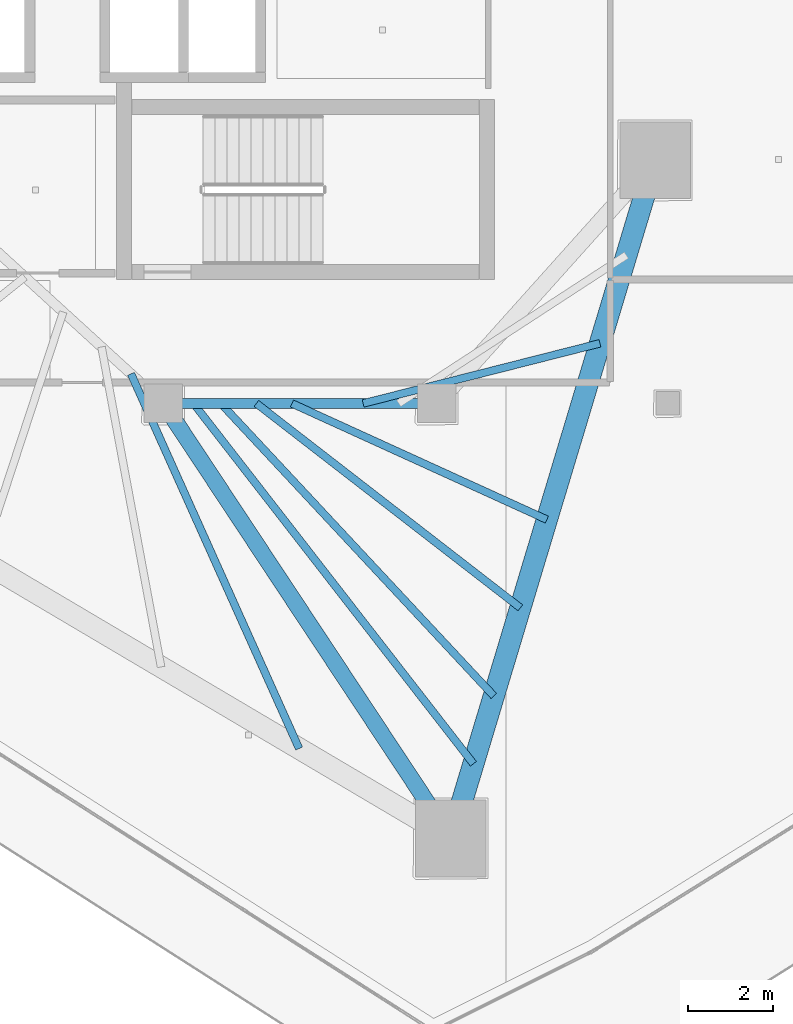
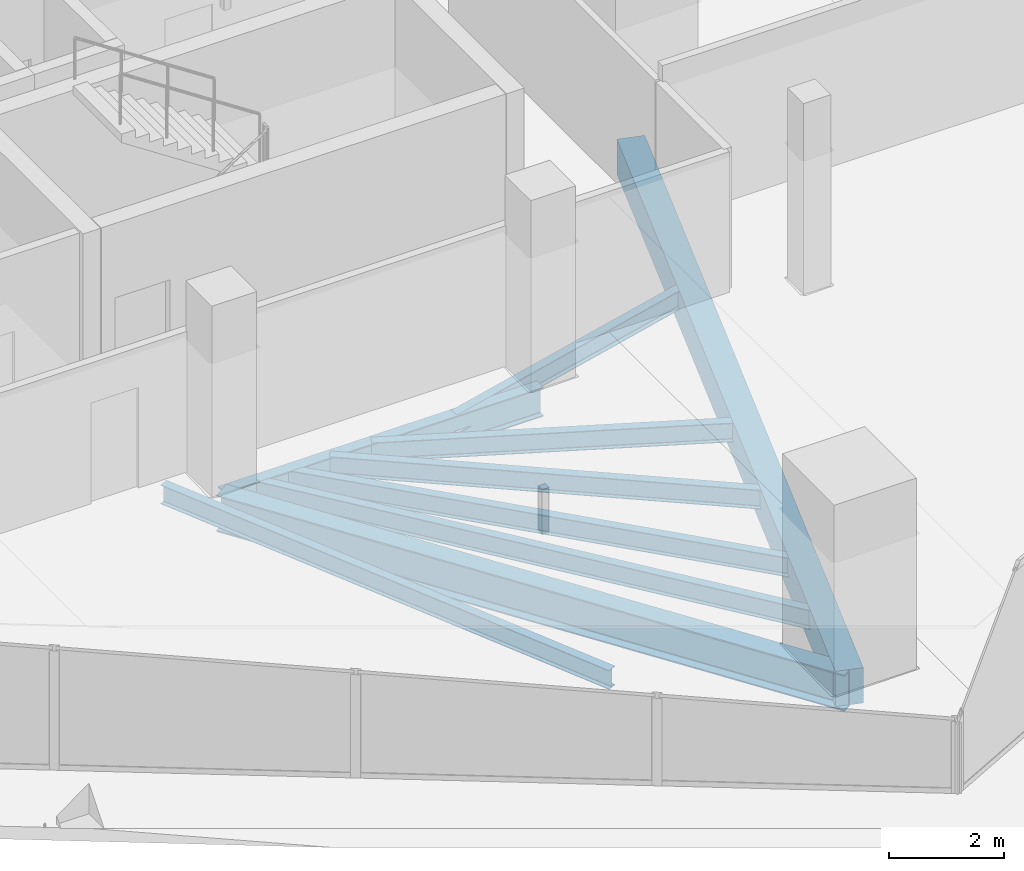
# One storey, part 9 of 30: 9 beams.
"""IFC4 building model written with IfcOpenShell, lengths in metres."""

from ifc_helpers import new_model, si_unit, direction, frame, origin, origin_2d, place, context, subcontext, project, spatial, rectangle, i_section, extrude, material, material_profile, profile_set, type_object, element, save


model = new_model("IFC4")

# Units and contexts
model_context = context("Model", 3, precision=1e-05, world=origin(), true_north=direction((0.0, 1.0)))
body_context = subcontext(model_context, "Body", "Model", "MODEL_VIEW")
ifc_project = project(units=[si_unit("LENGTHUNIT", "METRE"), si_unit("AREAUNIT", "SQUARE_METRE"), si_unit("VOLUMEUNIT", "CUBIC_METRE"), si_unit("PLANEANGLEUNIT", "RADIAN"), si_unit("MASSUNIT", "GRAM", prefix="KILO")], contexts=[model_context])

# Site, building, storey
site_placement = place(None, origin())
site = spatial("IfcSite", under=ifc_project, at=site_placement, CompositionType="ELEMENT")
building_placement = place(site_placement, origin())
building = spatial("IfcBuilding", under=site, at=building_placement, Name="Qorvath Tower", CompositionType="ELEMENT")
storey_placement = place(building_placement, frame((0.0, 0.0, 217.199951171875)))
storey = spatial("IfcBuildingStorey", under=building, at=storey_placement, Name="L50", CompositionType="ELEMENT", Elevation=217.199951171875)

# Beams
ifc_material_1 = material(Name="Steel ASTM A992 Grade 50", Category="steel")
ifc_material_profile_1 = material_profile(ifc_material_1, i_section(OverallWidth=0.381103515625, OverallDepth=0.77294921875, WebThickness=0.0166015625, FlangeThickness=0.027099609375, FilletRadius=0.01904296875, at=origin_2d()), Name="W30x173")
ifc_profile_set_1 = profile_set([ifc_material_profile_1], Name="Steel ASTM A992 Grade 50")
beam_type_1 = type_object("IfcBeamType", Name="BM-FG3", PredefinedType="BEAM", material=ifc_profile_set_1)
beam_1_placement = place(storey_placement, frame((-23.60009765625, -11.449951171875, -0.656494140625), z_axis=(0.551500517741, -0.834174549439, 0.0), x_axis=(0.834174549439, 0.551500517741, 0.0)))
element("IfcBeam", 1, at=beam_1_placement, inside=storey, type_object=beam_type_1, Name="Radial Floor Girder CC4-MC3 L50", PredefinedType="BEAM", context=body_context, shape_type="SweptSolid", body=[
    extrude(i_section(OverallWidth=0.381103515625, OverallDepth=0.77294921875, WebThickness=0.0166015625, FlangeThickness=0.027099609375, FilletRadius=0.01904296875, at=origin_2d()), origin(), (0.0, 0.0, 1.0), 12.200439453125),
])
ifc_material_2 = material(Name="Steel ASTM A992 Grade 50", Category="steel")
ifc_material_profile_2 = material_profile(ifc_material_2, i_section(OverallWidth=0.22998046875, OverallDepth=0.616943359375, WebThickness=0.01318359375, FlangeThickness=0.022216796875, FilletRadius=0.014892578125, at=origin_2d()), Name="W24x94")
ifc_profile_set_2 = profile_set([ifc_material_profile_2], Name="Steel ASTM A992 Grade 50")
beam_type_2 = type_object("IfcBeamType", Name="BM-FG6", PredefinedType="BEAM", material=ifc_profile_set_2)
beam_2_placement = place(storey_placement, frame((-17.199951171875, -11.449951171875, -0.57861328125), z_axis=(-1.0, 0.0, 0.0), x_axis=(0.0, -1.0, 0.0)))
element("IfcBeam", 2, at=beam_2_placement, inside=storey, type_object=beam_type_2, Name="Core Ring Girder CC3-CC4 L50", PredefinedType="BEAM", context=body_context, shape_type="SweptSolid", body=[
    extrude(i_section(OverallWidth=0.22998046875, OverallDepth=0.616943359375, WebThickness=0.01318359375, FlangeThickness=0.022216796875, FilletRadius=0.014892578125, at=origin_2d()), origin(), (0.0, 0.0, 1.0), 6.400146484375),
])
ifc_material_3 = material(Name="Steel ASTM A992 Grade 50", Category="steel")
ifc_material_profile_3 = material_profile(ifc_material_3, i_section(OverallWidth=0.177978515625, OverallDepth=0.406005859375, WebThickness=0.0078125, FlangeThickness=0.0126953125, FilletRadius=0.010986328125, at=origin_2d()), Name="W16x40")
ifc_profile_set_3 = profile_set([ifc_material_profile_3], Name="Steel ASTM A992 Grade 50")
beam_type_3 = type_object("IfcBeamType", Name="BM-FJ3", PredefinedType="JOIST", material=ifc_profile_set_3)
beam_3_placement = place(storey_placement, frame((-18.927978515625, -11.449951171875, -0.47314453125), z_axis=(0.969231577698, 0.246150662794, 0.0), x_axis=(-0.246150662794, 0.969231577698, 0.0)))
element("IfcBeam", 3, at=beam_3_placement, inside=storey, type_object=beam_type_3, Name="Composite Floor Joist SE2 L50", PredefinedType="JOIST", context=body_context, shape_type="SweptSolid", body=[
    extrude(i_section(OverallWidth=0.177978515625, OverallDepth=0.406005859375, WebThickness=0.0078125, FlangeThickness=0.0126953125, FilletRadius=0.010986328125, at=origin_2d()), origin(), (0.0, 0.0, 1.0), 5.718017578125),
])
beam_4_placement = place(storey_placement, frame((-20.592041015625, -11.449951171875, -0.47314453125), z_axis=(0.909945081179, -0.414728765868, 0.0), x_axis=(0.414728765868, 0.909945081179, 0.0)))
element("IfcBeam", 4, at=beam_4_placement, inside=storey, type_object=beam_type_3, Name="Composite Floor Joist SE4 L50", PredefinedType="JOIST", context=body_context, shape_type="SweptSolid", body=[
    extrude(i_section(OverallWidth=0.177978515625, OverallDepth=0.406005859375, WebThickness=0.0078125, FlangeThickness=0.0126953125, FilletRadius=0.010986328125, at=origin_2d()), origin(), (0.0, 0.0, 1.0), 6.554931640625),
])
beam_5_placement = place(storey_placement, frame((-21.424072265625, -11.449951171875, -0.47314453125), z_axis=(0.790693445503, -0.612212279555, 0.0), x_axis=(0.612212279555, 0.790693445503, 0.0)))
element("IfcBeam", 5, at=beam_5_placement, inside=storey, type_object=beam_type_3, Name="Composite Floor Joist SE5 L50", PredefinedType="JOIST", context=body_context, shape_type="SweptSolid", body=[
    extrude(i_section(OverallWidth=0.177978515625, OverallDepth=0.406005859375, WebThickness=0.0078125, FlangeThickness=0.0126953125, FilletRadius=0.010986328125, at=origin_2d()), origin(), (0.0, 0.0, 1.0), 7.810546875),
])
beam_6_placement = place(storey_placement, frame((-22.256103515625, -11.449951171875, -0.47314453125), z_axis=(0.682249490937, -0.731119437654, 0.0), x_axis=(0.731119437654, 0.682249490937, 0.0)))
element("IfcBeam", 6, at=beam_6_placement, inside=storey, type_object=beam_type_3, Name="Composite Floor Joist SE6 L50", PredefinedType="JOIST", context=body_context, shape_type="SweptSolid", body=[
    extrude(i_section(OverallWidth=0.177978515625, OverallDepth=0.406005859375, WebThickness=0.0078125, FlangeThickness=0.0126953125, FilletRadius=0.010986328125, at=origin_2d()), origin(), (0.0, 0.0, 1.0), 9.362060546875),
])
beam_7_placement = place(storey_placement, frame((-22.89599609375, -11.449951171875, -0.47314453125), z_axis=(0.61345131907, -0.789732536452, 0.0), x_axis=(0.789732536452, 0.61345131907, 0.0)))
element("IfcBeam", 7, at=beam_7_placement, inside=storey, type_object=beam_type_3, Name="Composite Floor Joist SE7 L50", PredefinedType="JOIST", context=body_context, shape_type="SweptSolid", body=[
    extrude(i_section(OverallWidth=0.177978515625, OverallDepth=0.406005859375, WebThickness=0.0078125, FlangeThickness=0.0126953125, FilletRadius=0.010986328125, at=origin_2d()), origin(), (0.0, 0.0, 1.0), 10.676513671875),
])
beam_8_placement = place(storey_placement, frame((-24.35888671875, -10.757080078125, -0.47314453125), z_axis=(0.409327209141, -0.912387656568, 0.0), x_axis=(0.912387656568, 0.409327209141, 0.0)))
element("IfcBeam", 8, at=beam_8_placement, inside=storey, type_object=beam_type_3, Name="Composite Floor Joist SW7 L50", PredefinedType="JOIST", context=body_context, shape_type="SweptSolid", body=[
    extrude(i_section(OverallWidth=0.177978515625, OverallDepth=0.406005859375, WebThickness=0.0078125, FlangeThickness=0.0126953125, FilletRadius=0.010986328125, at=origin_2d()), origin(), (0.0, 0.0, 1.0), 9.611083984375),
])
ifc_material_4 = material(Name="Concrete C45/55", Category="concrete")
ifc_material_profile_4 = material_profile(ifc_material_4, rectangle(XDim=0.5, YDim=0.75, at=origin_2d()), Name="RCB 750x500")
ifc_profile_set_4 = profile_set([ifc_material_profile_4], Name="Concrete C45/55")
beam_type_4 = type_object("IfcBeamType", Name="BM-RCB3", PredefinedType="SPANDREL", material=ifc_profile_set_4)
beam_9_placement = place(storey_placement, frame((-16.87158203125, -21.627197265625, -0.64501953125), z_axis=(0.28812763802, 0.957592013443, 0.0), x_axis=(-0.957592013443, 0.28812763802, 0.0)))
element("IfcBeam", 9, at=beam_9_placement, inside=storey, type_object=beam_type_4, Name="Perimeter Loggia Frame Beam MC3-MC4 L50", PredefinedType="SPANDREL", context=body_context, shape_type="SweptSolid", body=[
    extrude(rectangle(XDim=0.5, YDim=0.75, at=origin_2d()), origin(), (0.0, 0.0, 1.0), 16.572265625),
])

save(model, "model.ifc")
